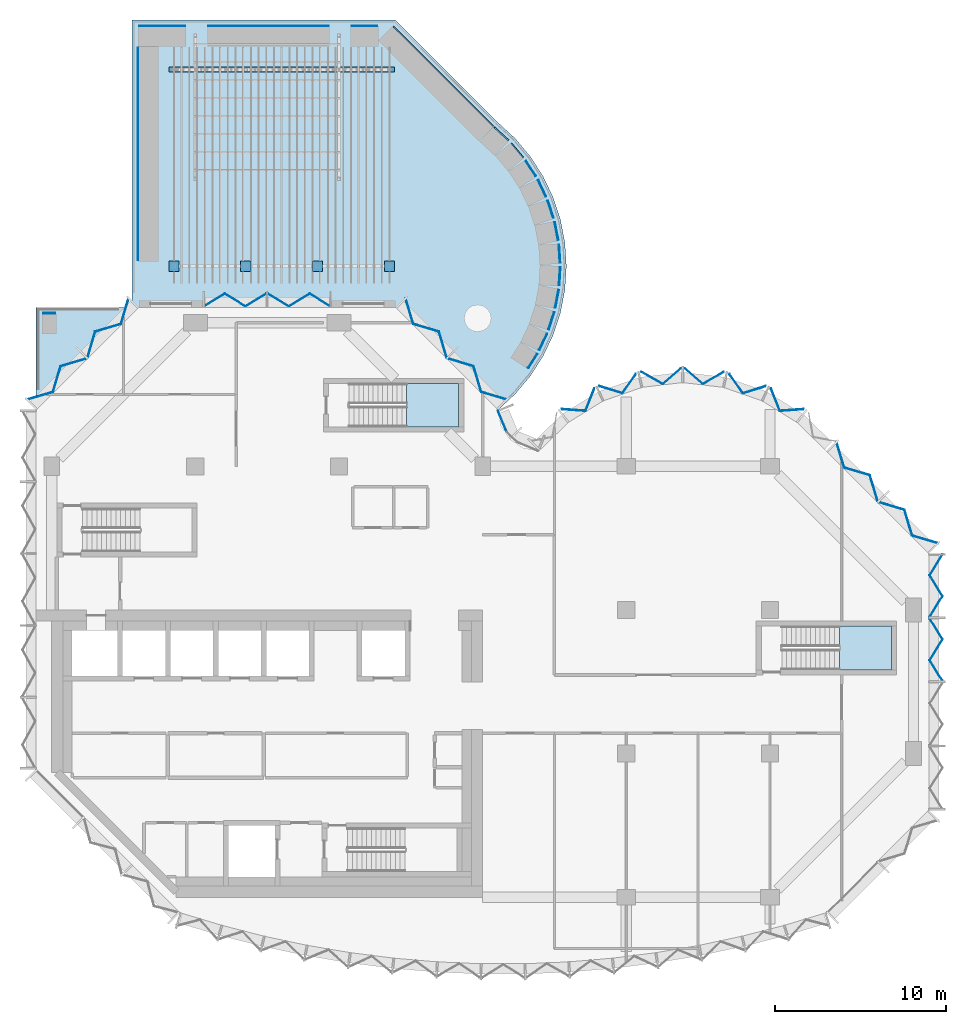
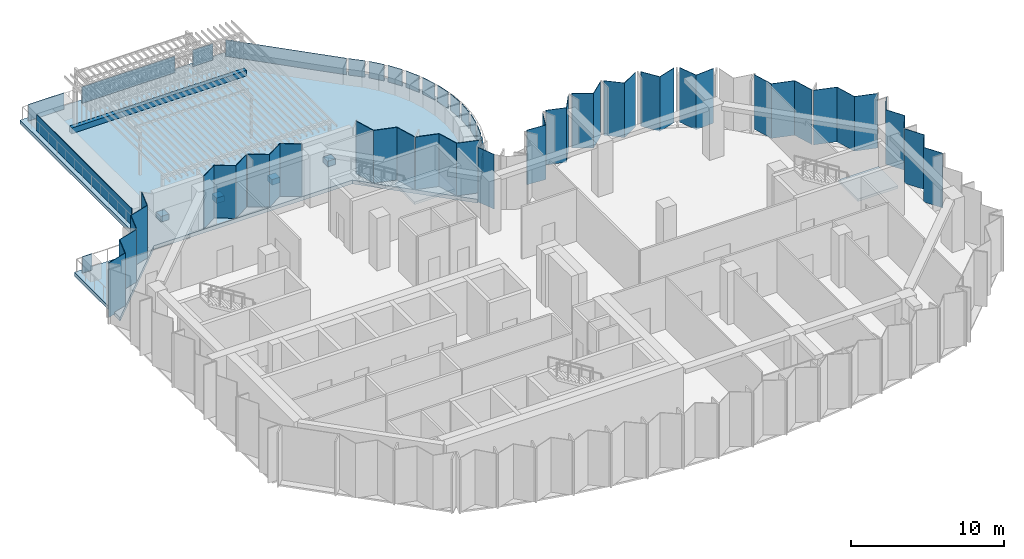
# One storey, part 7 of 15: 35 plates, 8 slabs, 9 elements without a shape of their own.
"""IFC4 building model written with IfcOpenShell, lengths in metres."""

from ifc_helpers import new_model, si_unit, direction, frame, origin, place, context, subcontext, project, spatial, polyline, outline, extrude, material, layer, layer_set, type_object, element, aggregate, save


model = new_model("IFC4")

# Units and contexts
model_context = context("Model", 3, precision=1e-05, world=origin(), true_north=direction((0.0, 1.0)))
body_context = subcontext(model_context, "Body", "Model", "MODEL_VIEW")
ifc_project = project(units=[si_unit("LENGTHUNIT", "METRE"), si_unit("AREAUNIT", "SQUARE_METRE"), si_unit("VOLUMEUNIT", "CUBIC_METRE"), si_unit("PLANEANGLEUNIT", "RADIAN"), si_unit("MASSUNIT", "GRAM", prefix="KILO")], contexts=[model_context])

# Site, building, storey
site_placement = place(None, origin())
site = spatial("IfcSite", under=ifc_project, at=site_placement, CompositionType="ELEMENT")
building_placement = place(site_placement, origin())
building = spatial("IfcBuilding", under=site, at=building_placement, Name="Brevane Broadcast Tower", CompositionType="ELEMENT")
storey_placement = place(building_placement, frame((0.0, 0.0, 206.39990234375)))
storey = spatial("IfcBuildingStorey", under=building, at=storey_placement, Name="L52", CompositionType="ELEMENT", Elevation=206.39990234375)

# Curtain wall, plates
ifc_material_1 = material(Name="Aluminium 6063-T6 bronze anodised", Category="aluminium")
curtain_wall_type = type_object("IfcCurtainWallType", Name="CW-4 curtain wall", PredefinedType="NOTDEFINED", material=ifc_material_1)
curtain_wall_1_placement = place(storey_placement, origin())
curtain_wall_1 = element("IfcCurtainWall", 1, at=curtain_wall_1_placement, inside=storey, type_object=curtain_wall_type, Name="CW-4 sky lobby unit L52 east end", PredefinedType="NOTDEFINED")
ifc_material_2 = material(Name="Laminated glass bronze-tinted", Category="glass")
ifc_layer_1 = layer(ifc_material_2, 0.0400390625)
ifc_layer_set_1 = layer_set([ifc_layer_1], Name="CW tall glass panel 40")
plate_type_1 = type_object("IfcPlateType", Name="CW tall glass panel 40", PredefinedType="CURTAIN_PANEL", material=ifc_layer_set_1)
plate_1_placement = place(storey_placement, frame((0.0, 0.0, -0.159912109375)))
plate_1 = element("IfcPlate", 2, at=plate_1_placement, type_object=plate_type_1, Name="CW-4 glass panel", PredefinedType="CURTAIN_PANEL", context=body_context, shape_type="SweptSolid", body=[
    extrude(outline(polyline([(52.07080078125, 12.64990234375), (52.117919921875, 12.64990234375), (51.373291015625, 13.86669921875), (52.117919921875, 15.083251953125), (51.373291015625, 16.300048828125), (51.32666015625, 16.300048828125), (52.07080078125, 15.083251953125), (51.32666015625, 13.86669921875), (52.07080078125, 12.64990234375)])), origin(), (0.0, 0.0, 1.0), 4.360107421875),
])
plate_2_placement = place(storey_placement, frame((0.0, 0.0, -0.159912109375)))
plate_2 = element("IfcPlate", 3, at=plate_2_placement, type_object=plate_type_1, Name="CW-4 glass panel", PredefinedType="CURTAIN_PANEL", context=body_context, shape_type="SweptSolid", body=[
    extrude(outline(polyline([(51.32666015625, 16.39990234375), (51.373291015625, 16.39990234375), (52.117919921875, 17.61669921875), (51.373291015625, 18.833251953125), (52.117919921875, 20.050048828125), (52.07080078125, 20.050048828125), (51.32666015625, 18.833251953125), (52.07080078125, 17.61669921875), (51.32666015625, 16.39990234375)])), origin(), (0.0, 0.0, 1.0), 4.360107421875),
])
aggregate(curtain_wall_1, [plate_1, plate_2])

curtain_wall_2_placement = place(storey_placement, origin())
curtain_wall_2 = element("IfcCurtainWall", 4, at=curtain_wall_2_placement, inside=storey, type_object=curtain_wall_type, Name="CW-4 sky lobby unit L52 north-east chamfer", PredefinedType="NOTDEFINED")
plate_3_placement = place(storey_placement, frame((0.0, 0.0, -0.159912109375)))
plate_3 = element("IfcPlate", 5, at=plate_3_placement, type_object=plate_type_1, Name="CW-4 glass panel", PredefinedType="CURTAIN_PANEL", context=body_context, shape_type="SweptSolid", body=[
    extrude(outline(polyline([(51.810302734375, 20.680908203125), (51.84228515625, 20.713134765625), (50.339599609375, 21.1630859375), (49.8896484375, 22.666015625), (48.38671875, 23.1162109375), (48.3544921875, 23.083984375), (49.857421875, 22.6337890625), (50.3076171875, 21.131103515625), (51.810302734375, 20.680908203125)])), origin(), (0.0, 0.0, 1.0), 4.360107421875),
])
plate_4_placement = place(storey_placement, frame((0.0, 0.0, -0.159912109375)))
plate_4 = element("IfcPlate", 6, at=plate_4_placement, type_object=plate_type_1, Name="CW-4 glass panel", PredefinedType="CURTAIN_PANEL", context=body_context, shape_type="SweptSolid", body=[
    extrude(outline(polyline([(48.283935546875, 23.154541015625), (48.316162109375, 23.186767578125), (47.865966796875, 24.689697265625), (46.36328125, 25.1396484375), (45.9130859375, 26.642333984375), (45.881103515625, 26.6103515625), (46.3310546875, 25.107421875), (47.833984375, 24.657470703125), (48.283935546875, 23.154541015625)])), origin(), (0.0, 0.0, 1.0), 4.360107421875),
])
aggregate(curtain_wall_2, [plate_3, plate_4])

curtain_wall_3_placement = place(storey_placement, origin())
curtain_wall_3 = element("IfcCurtainWall", 7, at=curtain_wall_3_placement, inside=storey, type_object=curtain_wall_type, Name="CW-4 sky lobby unit L52 east bow", PredefinedType="NOTDEFINED")
plate_5_placement = place(storey_placement, frame((0.0, 0.0, -0.159912109375)))
plate_5 = element("IfcPlate", 8, at=plate_5_placement, type_object=plate_type_1, Name="CW-4 glass panel", PredefinedType="CURTAIN_PANEL", context=body_context, shape_type="SweptSolid", body=[
    extrude(outline(polyline([(43.93798828125, 28.517333984375), (43.97119140625, 28.559814453125), (42.6015625, 28.463134765625), (42.08349609375, 29.7548828125), (42.060302734375, 29.705810546875), (42.5751953125, 28.421142578125), (43.93798828125, 28.517333984375)])), origin(), (0.0, 0.0, 1.0), 4.360107421875),
])
plate_6_placement = place(storey_placement, frame((0.0, 0.0, -0.159912109375)))
plate_6 = element("IfcPlate", 9, at=plate_6_placement, type_object=plate_type_1, Name="CW-4 glass panel", PredefinedType="CURTAIN_PANEL", context=body_context, shape_type="SweptSolid", body=[
    extrude(outline(polyline([(41.741455078125, 29.857666015625), (41.764892578125, 29.90673828125), (40.435546875, 29.494384765625), (39.647216796875, 30.618896484375), (39.635009765625, 30.56640625), (40.41943359375, 29.44775390625), (41.741455078125, 29.857666015625)])), origin(), (0.0, 0.0, 1.0), 4.360107421875),
])
plate_7_placement = place(storey_placement, frame((0.0, 0.0, -0.159912109375)))
plate_7 = element("IfcPlate", 10, at=plate_7_placement, type_object=plate_type_1, Name="CW-4 glass panel", PredefinedType="CURTAIN_PANEL", context=body_context, shape_type="SweptSolid", body=[
    extrude(outline(polyline([(39.301513671875, 30.691162109375), (39.313720703125, 30.743896484375), (38.069580078125, 30.036376953125), (37.02294921875, 30.947998046875), (37.02294921875, 30.89501953125), (38.064697265625, 29.987548828125), (39.301513671875, 30.691162109375)])), origin(), (0.0, 0.0, 1.0), 4.360107421875),
])
plate_8_placement = place(storey_placement, frame((0.0, 0.0, -0.159912109375)))
plate_8 = element("IfcPlate", 11, at=plate_8_placement, type_object=plate_type_1, Name="CW-4 glass panel", PredefinedType="CURTAIN_PANEL", context=body_context, shape_type="SweptSolid", body=[
    extrude(outline(polyline([(36.777099609375, 30.89501953125), (36.777099609375, 30.947998046875), (35.730224609375, 30.036376953125), (34.486083984375, 30.743896484375), (34.498291015625, 30.691162109375), (35.735107421875, 29.987548828125), (36.777099609375, 30.89501953125)])), origin(), (0.0, 0.0, 1.0), 4.360107421875),
])
plate_9_placement = place(storey_placement, frame((0.0, 0.0, -0.159912109375)))
plate_9 = element("IfcPlate", 12, at=plate_9_placement, type_object=plate_type_1, Name="CW-4 glass panel", PredefinedType="CURTAIN_PANEL", context=body_context, shape_type="SweptSolid", body=[
    extrude(outline(polyline([(34.164794921875, 30.56640625), (34.15283203125, 30.618896484375), (33.364501953125, 29.494384765625), (32.03515625, 29.90673828125), (32.05859375, 29.857666015625), (33.380615234375, 29.44775390625), (34.164794921875, 30.56640625)])), origin(), (0.0, 0.0, 1.0), 4.360107421875),
])
plate_10_placement = place(storey_placement, frame((0.0, 0.0, -0.159912109375)))
plate_10 = element("IfcPlate", 13, at=plate_10_placement, type_object=plate_type_1, Name="CW-4 glass panel", PredefinedType="CURTAIN_PANEL", context=body_context, shape_type="SweptSolid", body=[
    extrude(outline(polyline([(31.73974609375, 29.705810546875), (31.71630859375, 29.7548828125), (31.198486328125, 28.463134765625), (29.828857421875, 28.559814453125), (29.86181640625, 28.517333984375), (31.224853515625, 28.421142578125), (31.73974609375, 29.705810546875)])), origin(), (0.0, 0.0, 1.0), 4.360107421875),
])
aggregate(curtain_wall_3, [plate_5, plate_6, plate_7, plate_8, plate_9, plate_10])

# Curtain wall, plate
curtain_wall_4_placement = place(storey_placement, origin())
curtain_wall_4 = element("IfcCurtainWall", 14, at=curtain_wall_4_placement, inside=storey, type_object=curtain_wall_type, Name="CW-4 sky lobby unit L52 inner corner", PredefinedType="NOTDEFINED")
plate_11_placement = place(storey_placement, frame((0.0, 0.0, -0.159912109375)))
plate_11 = element("IfcPlate", 15, at=plate_11_placement, type_object=plate_type_1, Name="CW-4 glass panel", PredefinedType="CURTAIN_PANEL", context=body_context, shape_type="SweptSolid", body=[
    extrude(outline(polyline([(26.5986328125, 27.1865234375), (26.62939453125, 27.217041015625), (26.1171875, 28.453125), (26.080322265625, 28.437744140625), (26.5986328125, 27.1865234375)])), origin(), (0.0, 0.0, 1.0), 4.360107421875),
])
aggregate(curtain_wall_4, [plate_11])

# Curtain wall, plates
curtain_wall_5_placement = place(storey_placement, origin())
curtain_wall_5 = element("IfcCurtainWall", 16, at=curtain_wall_5_placement, inside=storey, type_object=curtain_wall_type, Name="CW-4 sky lobby unit L52 north arm north-east chamfer", PredefinedType="NOTDEFINED")
plate_12_placement = place(storey_placement, frame((0.0, 0.0, -0.159912109375)))
plate_12 = element("IfcPlate", 17, at=plate_12_placement, type_object=plate_type_1, Name="CW-4 glass panel", PredefinedType="CURTAIN_PANEL", context=body_context, shape_type="SweptSolid", body=[
    extrude(outline(polyline([(26.6103515625, 29.0810546875), (26.642333984375, 29.113037109375), (25.1396484375, 29.563232421875), (24.689697265625, 31.06591796875), (23.186767578125, 31.51611328125), (23.154541015625, 31.48388671875), (24.657470703125, 31.033935546875), (25.107421875, 29.531005859375), (26.6103515625, 29.0810546875)])), origin(), (0.0, 0.0, 1.0), 4.360107421875),
])
plate_13_placement = place(storey_placement, frame((0.0, 0.0, -0.159912109375)))
plate_13 = element("IfcPlate", 18, at=plate_13_placement, type_object=plate_type_1, Name="CW-4 glass panel", PredefinedType="CURTAIN_PANEL", context=body_context, shape_type="SweptSolid", body=[
    extrude(outline(polyline([(23.083984375, 31.5546875), (23.1162109375, 31.5869140625), (22.666015625, 33.089599609375), (21.1630859375, 33.53955078125), (20.713134765625, 35.04248046875), (20.680908203125, 35.01025390625), (21.131103515625, 33.507568359375), (22.6337890625, 33.057373046875), (23.083984375, 31.5546875)])), origin(), (0.0, 0.0, 1.0), 4.360107421875),
])
aggregate(curtain_wall_5, [plate_12, plate_13])

curtain_wall_6_placement = place(storey_placement, origin())
curtain_wall_6 = element("IfcCurtainWall", 19, at=curtain_wall_6_placement, inside=storey, type_object=curtain_wall_type, Name="CW-4 sky lobby unit L52 north end", PredefinedType="NOTDEFINED")
plate_14_placement = place(storey_placement, frame((0.0, 0.0, -0.159912109375)))
plate_14 = element("IfcPlate", 20, at=plate_14_placement, type_object=plate_type_1, Name="CW-4 glass panel", PredefinedType="CURTAIN_PANEL", context=body_context, shape_type="SweptSolid", body=[
    extrude(outline(polyline([(16.300048828125, 34.526611328125), (16.300048828125, 34.573486328125), (15.083251953125, 35.31787109375), (13.86669921875, 34.573486328125), (12.64990234375, 35.31787109375), (12.64990234375, 35.27099609375), (13.86669921875, 34.526611328125), (15.083251953125, 35.27099609375), (16.300048828125, 34.526611328125)])), origin(), (0.0, 0.0, 1.0), 4.360107421875),
])
plate_15_placement = place(storey_placement, frame((0.0, 0.0, -0.159912109375)))
plate_15 = element("IfcPlate", 21, at=plate_15_placement, type_object=plate_type_1, Name="CW-4 glass panel", PredefinedType="CURTAIN_PANEL", context=body_context, shape_type="SweptSolid", body=[
    extrude(outline(polyline([(12.550048828125, 35.27099609375), (12.550048828125, 35.31787109375), (11.333251953125, 34.573486328125), (10.11669921875, 35.31787109375), (8.89990234375, 34.573486328125), (8.89990234375, 34.526611328125), (10.11669921875, 35.27099609375), (11.333251953125, 34.526611328125), (12.550048828125, 35.27099609375)])), origin(), (0.0, 0.0, 1.0), 4.360107421875),
])
aggregate(curtain_wall_6, [plate_14, plate_15])

curtain_wall_7_placement = place(storey_placement, origin())
curtain_wall_7 = element("IfcCurtainWall", 22, at=curtain_wall_7_placement, inside=storey, type_object=curtain_wall_type, Name="CW-4 sky lobby unit L52 north-west chamfer", PredefinedType="NOTDEFINED")
plate_16_placement = place(storey_placement, frame((0.0, 0.0, -0.159912109375)))
plate_16 = element("IfcPlate", 23, at=plate_16_placement, type_object=plate_type_1, Name="CW-4 glass panel", PredefinedType="CURTAIN_PANEL", context=body_context, shape_type="SweptSolid", body=[
    extrude(outline(polyline([(4.51904296875, 35.01025390625), (4.48681640625, 35.04248046875), (4.036865234375, 33.53955078125), (2.533935546875, 33.089599609375), (2.083984375, 31.5869140625), (2.1162109375, 31.5546875), (2.566162109375, 33.057373046875), (4.06884765625, 33.507568359375), (4.51904296875, 35.01025390625)])), origin(), (0.0, 0.0, 1.0), 4.360107421875),
])
plate_17_placement = place(storey_placement, frame((0.0, 0.0, -0.159912109375)))
plate_17 = element("IfcPlate", 24, at=plate_17_placement, type_object=plate_type_1, Name="CW-4 glass panel", PredefinedType="CURTAIN_PANEL", context=body_context, shape_type="SweptSolid", body=[
    extrude(outline(polyline([(2.04541015625, 31.48388671875), (2.01318359375, 31.51611328125), (0.510498046875, 31.06591796875), (0.060302734375, 29.563232421875), (-1.4423828125, 29.113037109375), (-1.410400390625, 29.0810546875), (0.092529296875, 29.531005859375), (0.54248046875, 31.033935546875), (2.04541015625, 31.48388671875)])), origin(), (0.0, 0.0, 1.0), 4.360107421875),
])
aggregate(curtain_wall_7, [plate_16, plate_17])

# Stair, slab
ifc_material_3 = material(Name="Concrete C50/60", Category="concrete")
stair_type = type_object("IfcStairType", Name="Exit stair 26 risers", PredefinedType="HALF_TURN_STAIR", material=ifc_material_3)
stair_1_placement = place(storey_placement, origin())
stair_1 = element("IfcStair", 25, at=stair_1_placement, inside=storey, type_object=stair_type, Name="L52 Exit stair ST-3", PredefinedType="HALF_TURN_STAIR")
ifc_layer_2 = layer(ifc_material_3, 0.199951171875)
ifc_layer_set_2 = layer_set([ifc_layer_2], Name="Exit stair landing")
slab_type_1 = type_object("IfcSlabType", Name="Exit stair landing", PredefinedType="LANDING", material=ifc_layer_set_2)
slab_1_placement = place(storey_placement, frame((0.0, 0.0, 2.050048828125)))
slab_1 = element("IfcSlab", 26, at=slab_1_placement, type_object=slab_type_1, Name="ST-3 landing 1", PredefinedType="LANDING", context=body_context, shape_type="SweptSolid", body=[
    extrude(outline(polyline([(20.760009765625, 27.5), (23.800048828125, 27.5), (23.800048828125, 30.050048828125), (20.760009765625, 30.050048828125), (20.760009765625, 27.5)])), origin(), (0.0, 0.0, 1.0), 0.199951171875),
])
aggregate(stair_1, [slab_1])

stair_2_placement = place(storey_placement, origin())
stair_2 = element("IfcStair", 27, at=stair_2_placement, inside=storey, type_object=stair_type, Name="L52 Exit stair ST-4", PredefinedType="HALF_TURN_STAIR")
slab_2_placement = place(storey_placement, frame((0.0, 0.0, 2.050048828125)))
slab_2 = element("IfcSlab", 28, at=slab_2_placement, type_object=slab_type_1, Name="ST-4 landing 1", PredefinedType="LANDING", context=body_context, shape_type="SweptSolid", body=[
    extrude(outline(polyline([(46.06005859375, 13.300048828125), (49.10009765625, 13.300048828125), (49.10009765625, 15.85009765625), (46.06005859375, 15.85009765625), (46.06005859375, 13.300048828125)])), origin(), (0.0, 0.0, 1.0), 0.199951171875),
])
aggregate(stair_2, [slab_2])

# Plates
ifc_material_4 = material(Name="Aluminium bronze anodised", Category="aluminium")
ifc_layer_3 = layer(ifc_material_4, 0.050048828125)
ifc_layer_set_3 = layer_set([ifc_layer_3], Name="Planter fascia plate 1300")
plate_type_2 = type_object("IfcPlateType", Name="Planter fascia plate 1300", PredefinedType="SHEET", material=ifc_layer_set_3)
plate_18_placement = place(storey_placement, frame((0.2197265625, 34.175048828125, 0.0), z_axis=(0.0, 1.0, 0.0), x_axis=(-1.0, 0.0, 0.0)))
element("IfcPlate", 29, at=plate_18_placement, inside=storey, type_object=plate_type_2, Name="Bed fascia L52-1", PredefinedType="SHEET", context=body_context, shape_type="SweptSolid", body=[
    extrude(outline(polyline([(0.0, 0.0), (0.709716796875, 0.0), (0.709716796875, 1.300048828125), (0.0, 1.300048828125), (0.0, 0.0)])), origin(), (0.0, 0.0, -1.0), 0.050048828125),
])
plate_19_placement = place(storey_placement, frame((27.896240234375, 30.935302734375, 0.0), z_axis=(0.841227957038, -0.540680612097, 0.0), x_axis=(0.540680612097, 0.841227957038, 0.0)))
element("IfcPlate", 30, at=plate_19_placement, inside=storey, type_object=plate_type_2, Name="Bed fascia L52-2", PredefinedType="SHEET", context=body_context, shape_type="SweptSolid", body=[
    extrude(outline(polyline([(0.0, 0.0), (0.9617869026832793, 0.0), (0.9617869026832793, 1.3000488281249998), (0.0, 1.3000488281249998), (0.0, 0.0)])), origin(), (0.0, 0.0, -1.0), 0.050048828125),
])
plate_20_placement = place(storey_placement, frame((28.54150390625, 31.98876953125, 0.0), z_axis=(0.90294591714, -0.429754198025, 0.0), x_axis=(0.429754198025, 0.90294591714, 0.0)))
element("IfcPlate", 31, at=plate_20_placement, inside=storey, type_object=plate_type_2, Name="Bed fascia L52-3", PredefinedType="SHEET", context=body_context, shape_type="SweptSolid", body=[
    extrude(outline(polyline([(0.0, 0.0), (1.0566541632104056, 0.0), (1.0566541632104056, 1.300048828125), (0.0, 1.300048828125), (0.0, 0.0)])), origin(), (0.0, 0.0, -1.0), 0.050048828125),
])
plate_21_placement = place(storey_placement, frame((29.0888671875, 33.201171875, 0.0), z_axis=(0.95010611652, -0.311926862184, 0.0), x_axis=(0.311926862184, 0.95010611652, 0.0)))
element("IfcPlate", 32, at=plate_21_placement, inside=storey, type_object=plate_type_2, Name="Bed fascia L52-4", PredefinedType="SHEET", context=body_context, shape_type="SweptSolid", body=[
    extrude(outline(polyline([(0.0, 0.0), (1.0566253943059536, 0.0), (1.0566253943059536, 1.300048828125), (0.0, 1.300048828125), (0.0, 0.0)])), origin(), (0.0, 0.0, -1.0), 0.050048828125),
])
plate_22_placement = place(storey_placement, frame((29.478271484375, 34.47314453125, 0.0), z_axis=(0.981925589058, -0.189267370543, 0.0), x_axis=(0.189267370543, 0.981925589058, 0.0)))
element("IfcPlate", 33, at=plate_22_placement, inside=storey, type_object=plate_type_2, Name="Bed fascia L52-5", PredefinedType="SHEET", context=body_context, shape_type="SweptSolid", body=[
    extrude(outline(polyline([(0.0, 0.0), (1.056448194429681, 0.0), (1.056448194429681, 1.300048828125), (0.0, 1.300048828125), (0.0, 0.0)])), origin(), (0.0, 0.0, -1.0), 0.050048828125),
])
plate_23_placement = place(storey_placement, frame((29.703369140625, 35.7841796875, 0.0), z_axis=(0.997979071667, -0.063543469486, 0.0), x_axis=(0.063543469486, 0.997979071667, 0.0)))
element("IfcPlate", 34, at=plate_23_placement, inside=storey, type_object=plate_type_2, Name="Bed fascia L52-6", PredefinedType="SHEET", context=body_context, shape_type="SweptSolid", body=[
    extrude(outline(polyline([(0.0, 0.0), (1.0565786290623025, 0.0), (1.0565786290623025, 1.3000488281250002), (0.0, 1.3000488281250002), (0.0, 0.0)])), origin(), (0.0, 0.0, -1.0), 0.050048828125),
])
plate_24_placement = place(storey_placement, frame((29.7607421875, 37.113037109375, 0.0), z_axis=(0.997993698483, 0.063313330258, 0.0), x_axis=(-0.063313330258, 0.997993698483, 0.0)))
element("IfcPlate", 35, at=plate_24_placement, inside=storey, type_object=plate_type_2, Name="Bed fascia L52-7", PredefinedType="SHEET", context=body_context, shape_type="SweptSolid", body=[
    extrude(outline(polyline([(0.0, 0.0), (1.056563143612909, 0.0), (1.056563143612909, 1.300048828125), (0.0, 1.300048828125), (0.0, 0.0)])), origin(), (0.0, 0.0, -1.0), 0.050048828125),
])
plate_25_placement = place(storey_placement, frame((29.6494140625, 38.438720703125, 0.0), z_axis=(0.981925589058, 0.189267370543, 0.0), x_axis=(-0.189267370543, 0.981925589058, 0.0)))
element("IfcPlate", 36, at=plate_25_placement, inside=storey, type_object=plate_type_2, Name="Bed fascia L52-8", PredefinedType="SHEET", context=body_context, shape_type="SweptSolid", body=[
    extrude(outline(polyline([(0.0, 0.0), (1.056448194429681, 0.0), (1.056448194429681, 1.300048828125), (0.0, 1.300048828125), (0.0, 0.0)])), origin(), (0.0, 0.0, -1.0), 0.050048828125),
])
plate_26_placement = place(storey_placement, frame((29.37109375, 39.739501953125, 0.0), z_axis=(0.950015104371, 0.312203942108, 0.0), x_axis=(-0.312203942108, 0.950015104371, 0.0)))
element("IfcPlate", 37, at=plate_26_placement, inside=storey, type_object=plate_type_2, Name="Bed fascia L52-9", PredefinedType="SHEET", context=body_context, shape_type="SweptSolid", body=[
    extrude(outline(polyline([(0.0, 0.0), (1.0564696337537403, 0.0), (1.0564696337537403, 1.300048828125), (0.0, 1.300048828125), (0.0, 0.0)])), origin(), (0.0, 0.0, -1.0), 0.050048828125),
])
plate_27_placement = place(storey_placement, frame((28.93017578125, 40.994384765625, 0.0), z_axis=(0.902903231346, 0.429843872614, 0.0), x_axis=(-0.429843872614, 0.902903231346, 0.0)))
element("IfcPlate", 38, at=plate_27_placement, inside=storey, type_object=plate_type_2, Name="Bed fascia L52-10", PredefinedType="SHEET", context=body_context, shape_type="SweptSolid", body=[
    extrude(outline(polyline([(0.0, 0.0), (1.0564337226399787, 0.0), (1.0564337226399787, 1.300048828125), (0.0, 1.300048828125), (0.0, 0.0)])), origin(), (0.0, 0.0, -1.0), 0.050048828125),
])
plate_28_placement = place(storey_placement, frame((28.333984375, 42.18359375, 0.0), z_axis=(0.841178475377, 0.540757591313, 0.0), x_axis=(-0.540757591313, 0.841178475377, 0.0)))
element("IfcPlate", 39, at=plate_28_placement, inside=storey, type_object=plate_type_2, Name="Bed fascia L52-11", PredefinedType="SHEET", context=body_context, shape_type="SweptSolid", body=[
    extrude(outline(polyline([(0.0, 0.0), (1.05646055030377, 0.0), (1.05646055030377, 1.300048828125), (0.0, 1.300048828125), (0.0, 0.0)])), origin(), (0.0, 0.0, -1.0), 0.050048828125),
])
plate_29_placement = place(storey_placement, frame((27.592041015625, 43.28759765625, 0.0), z_axis=(0.765905153621, 0.642953571929, 0.0), x_axis=(-0.642953571929, 0.765905153621, 0.0)))
element("IfcPlate", 40, at=plate_29_placement, inside=storey, type_object=plate_type_2, Name="Bed fascia L52-12", PredefinedType="SHEET", context=body_context, shape_type="SweptSolid", body=[
    extrude(outline(polyline([(0.0, 0.0), (1.0563736611835022, 0.0), (1.0563736611835022, 1.300048828125), (0.0, 1.300048828125), (0.0, 0.0)])), origin(), (0.0, 0.0, -1.0), 0.050048828125),
])
plate_30_placement = place(storey_placement, frame((26.71630859375, 44.288818359375, 0.0), z_axis=(0.678270965153, 0.734811879212, 0.0), x_axis=(-0.734811879212, 0.678270965153, 0.0)))
element("IfcPlate", 41, at=plate_30_placement, inside=storey, type_object=plate_type_2, Name="Bed fascia L52-13", PredefinedType="SHEET", context=body_context, shape_type="SweptSolid", body=[
    extrude(outline(polyline([(0.0, 0.0), (1.1097121733723865, 0.0), (1.1097121733723865, 1.300048828125), (0.0, 1.300048828125), (0.0, 0.0)])), origin(), (0.0, 0.0, -1.0), 0.050048828125),
])
plate_31_placement = place(storey_placement, frame((25.815673828125, 45.12451171875, 0.0), z_axis=(0.707121661536, 0.707091900524, 0.0), x_axis=(-0.707091900524, 0.707121661536, 0.0)))
element("IfcPlate", 42, at=plate_31_placement, inside=storey, type_object=plate_type_2, Name="Bed fascia L52-14", PredefinedType="SHEET", context=body_context, shape_type="SweptSolid", body=[
    extrude(outline(polyline([(0.0, 0.0), (8.203370884434523, 0.0), (8.203370884434523, 1.300048828125), (0.0, 1.300048828125), (0.0, 0.0)])), origin(), (0.0, 0.0, -1.0), 0.050048828125),
])
plate_32_placement = place(storey_placement, frame((19.04638671875, 50.97509765625, 0.0), z_axis=(0.0, 1.0, 0.0), x_axis=(-1.0, 0.0, 0.0)))
element("IfcPlate", 43, at=plate_32_placement, inside=storey, type_object=plate_type_2, Name="Bed fascia L52-15", PredefinedType="SHEET", context=body_context, shape_type="SweptSolid", body=[
    extrude(outline(polyline([(0.0, 0.0), (1.499267578125, 0.0), (1.499267578125, 1.300048828125), (0.0, 1.300048828125), (0.0, 0.0)])), origin(), (0.0, 0.0, -1.0), 0.050048828125),
])
plate_33_placement = place(storey_placement, frame((16.194091796875, 50.97509765625, 0.0), z_axis=(0.0, 1.0, 0.0), x_axis=(-1.0, 0.0, 0.0)))
element("IfcPlate", 44, at=plate_33_placement, inside=storey, type_object=plate_type_2, Name="Bed fascia L52-16", PredefinedType="SHEET", context=body_context, shape_type="SweptSolid", body=[
    extrude(outline(polyline([(0.0, 0.0), (7.03173828125, 0.0), (7.03173828125, 1.300048828125), (0.0, 1.300048828125), (0.0, 0.0)])), origin(), (0.0, 0.0, -1.0), 0.050048828125),
])
plate_34_placement = place(storey_placement, frame((7.8095703125, 50.97509765625, 0.0), z_axis=(0.0, 1.0, 0.0), x_axis=(-1.0, 0.0, 0.0)))
element("IfcPlate", 45, at=plate_34_placement, inside=storey, type_object=plate_type_2, Name="Bed fascia L52-17", PredefinedType="SHEET", context=body_context, shape_type="SweptSolid", body=[
    extrude(outline(polyline([(0.0, 0.0), (2.699462890625, 0.0), (2.699462890625, 1.300048828125), (0.0, 1.300048828125), (0.0, 0.0)])), origin(), (0.0, 0.0, -1.0), 0.050048828125),
])
plate_35_placement = place(storey_placement, frame((5.02490234375, 49.68994140625, 0.0), z_axis=(-1.0, 0.0, 0.0), x_axis=(0.0, -1.0, 0.0)))
element("IfcPlate", 46, at=plate_35_placement, inside=storey, type_object=plate_type_2, Name="Bed fascia L52-18", PredefinedType="SHEET", context=body_context, shape_type="SweptSolid", body=[
    extrude(outline(polyline([(0.0, 0.0), (12.441650390625, 0.0), (12.441650390625, 1.300048828125), (0.0, 1.300048828125), (0.0, 0.0)])), origin(), (0.0, 0.0, -1.0), 0.050048828125),
])

# Slabs
ifc_material_5 = material(Name="Concrete C40/50", Category="concrete")
ifc_layer_4 = layer(ifc_material_5, 0.300048828125)
ifc_layer_set_4 = layer_set([ifc_layer_4], Name="RC ROOF SLAB 300 C40/50")
slab_type_2 = type_object("IfcSlabType", Name="RC ROOF SLAB 300 C40/50", PredefinedType="ROOF", material=ifc_layer_set_4)
slab_3_placement = place(storey_placement, frame((0.0, 0.0, -0.2998046875)))
element("IfcSlab", 47, at=slab_3_placement, inside=storey, type_object=slab_type_2, Name="SR300 L52", PredefinedType="ROOF", context=body_context, shape_type="SweptSolid", body=[
    extrude(outline(polyline([(4.699951171875, 34.5), (4.699951171875, 51.300048828125), (20.10009765625, 51.300048828125), (26.10009765625, 45.300048828125), (27.10888671875, 44.36865234375), (27.99169921875, 43.317138671875), (28.734130859375, 42.162353515625), (29.324462890625, 40.922607421875), (29.7529296875, 39.618408203125), (30.012939453125, 38.270263671875), (30.10009765625, 36.89990234375), (30.012939453125, 35.52978515625), (29.7529296875, 34.181640625), (29.324462890625, 32.877197265625), (28.734130859375, 31.6376953125), (27.99169921875, 30.48291015625), (27.10888671875, 29.431396484375), (26.10009765625, 28.5), (20.10009765625, 34.5), (5.10009765625, 34.5), (-0.89990234375, 28.5), (-0.89990234375, 34.5), (4.699951171875, 34.5)])), origin(), (0.0, 0.0, 1.0), 0.2998046875),
])
ifc_material_6 = material(Name="Concrete C30/37", Category="concrete")
ifc_layer_5 = layer(ifc_material_6, 0.449951171875)
ifc_layer_set_5 = layer_set([ifc_layer_5], Name="Sky garden trellis plinth 450")
slab_type_3 = type_object("IfcSlabType", Name="Sky garden trellis plinth 450", PredefinedType="USERDEFINED", material=ifc_layer_set_5)
slab_4_placement = place(storey_placement, origin())
element("IfcSlab", 48, at=slab_4_placement, inside=storey, type_object=slab_type_3, Name="Sky garden trellis post plinth L52-1", ObjectType="PLINTH", PredefinedType="USERDEFINED", context=body_context, shape_type="SweptSolid", body=[
    extrude(outline(polyline([(6.85009765625, 36.60009765625), (7.449951171875, 36.60009765625), (7.449951171875, 37.199951171875), (6.85009765625, 37.199951171875), (6.85009765625, 36.60009765625)])), origin(), (0.0, 0.0, 1.0), 0.4501953125),
])
slab_5_placement = place(storey_placement, origin())
element("IfcSlab", 49, at=slab_5_placement, inside=storey, type_object=slab_type_3, Name="Sky garden trellis post plinth L52-2", ObjectType="PLINTH", PredefinedType="USERDEFINED", context=body_context, shape_type="SweptSolid", body=[
    extrude(outline(polyline([(11.050048828125, 36.60009765625), (11.64990234375, 36.60009765625), (11.64990234375, 37.199951171875), (11.050048828125, 37.199951171875), (11.050048828125, 36.60009765625)])), origin(), (0.0, 0.0, 1.0), 0.4501953125),
])
slab_6_placement = place(storey_placement, origin())
element("IfcSlab", 50, at=slab_6_placement, inside=storey, type_object=slab_type_3, Name="Sky garden trellis post plinth L52-3", ObjectType="PLINTH", PredefinedType="USERDEFINED", context=body_context, shape_type="SweptSolid", body=[
    extrude(outline(polyline([(15.25, 36.60009765625), (15.85009765625, 36.60009765625), (15.85009765625, 37.199951171875), (15.25, 37.199951171875), (15.25, 36.60009765625)])), origin(), (0.0, 0.0, 1.0), 0.4501953125),
])
slab_7_placement = place(storey_placement, origin())
element("IfcSlab", 51, at=slab_7_placement, inside=storey, type_object=slab_type_3, Name="Sky garden trellis post plinth L52-4", ObjectType="PLINTH", PredefinedType="USERDEFINED", context=body_context, shape_type="SweptSolid", body=[
    extrude(outline(polyline([(19.449951171875, 36.60009765625), (20.050048828125, 36.60009765625), (20.050048828125, 37.199951171875), (19.449951171875, 37.199951171875), (19.449951171875, 36.60009765625)])), origin(), (0.0, 0.0, 1.0), 0.4501953125),
])
slab_8_placement = place(storey_placement, origin())
element("IfcSlab", 52, at=slab_8_placement, inside=storey, type_object=slab_type_3, Name="Sky garden trellis slat kerb L52-1", ObjectType="PLINTH", PredefinedType="USERDEFINED", context=body_context, shape_type="SweptSolid", body=[
    extrude(outline(polyline([(6.85009765625, 48.25), (20.050048828125, 48.25), (20.050048828125, 48.550048828125), (6.85009765625, 48.550048828125), (6.85009765625, 48.25)])), origin(), (0.0, 0.0, 1.0), 0.4501953125),
])

save(model, "model.ifc")
